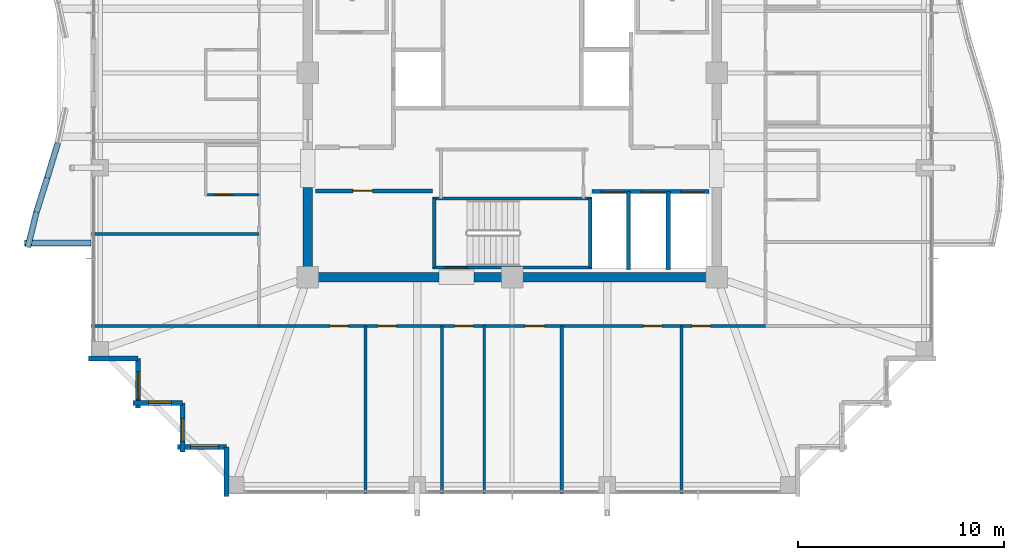
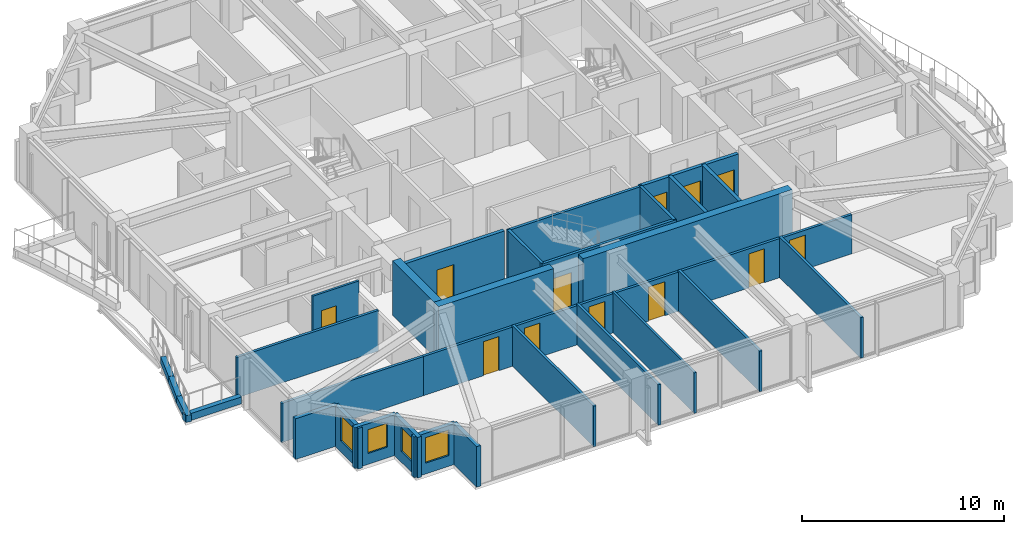
# One storey, part 29 of 35: 30 walls, 12 doors, 4 windows, 16 openings.
"""IFC4 building model written with IfcOpenShell, lengths in metres."""

from ifc_helpers import new_model, si_unit, direction, frame, frame_2d, origin, place, context, subcontext, project, spatial, rectangle, extrude, material, layer, layer_set, type_object, element, fill, save


model = new_model("IFC4")

# Units and contexts
model_context = context("Model", 3, precision=1e-05, world=origin(), true_north=direction((0.0, 1.0)))
body_context = subcontext(model_context, "Body", "Model", "MODEL_VIEW")
ifc_project = project(units=[si_unit("LENGTHUNIT", "METRE"), si_unit("AREAUNIT", "SQUARE_METRE"), si_unit("VOLUMEUNIT", "CUBIC_METRE"), si_unit("PLANEANGLEUNIT", "RADIAN"), si_unit("MASSUNIT", "GRAM", prefix="KILO")], contexts=[model_context])

# Site, building, storey
site_placement = place(None, origin())
site = spatial("IfcSite", under=ifc_project, at=site_placement, CompositionType="ELEMENT")
building_placement = place(site_placement, origin())
building = spatial("IfcBuilding", under=site, at=building_placement, Name="Kolvaren Belvedere", CompositionType="ELEMENT")
storey_placement = place(building_placement, frame((0.0, 0.0, 216.300048828125)))
storey = spatial("IfcBuildingStorey", under=building, at=storey_placement, Name="L63", CompositionType="ELEMENT", Elevation=216.300048828125)

# Walls
ifc_material_1 = material(Name="Concrete C50/60", Category="concrete")
ifc_layer_1 = layer(ifc_material_1, 0.449951171875)
ifc_layer_set_1 = layer_set([ifc_layer_1], Name="Concrete C50/60")
wall_type_1 = type_object("IfcWallType", Name="CW-CORE-450", PredefinedType="SHEAR", material=ifc_layer_set_1)
wall_1_placement = place(storey_placement, frame((10.125, -9.89990234375, 0.0), z_axis=(0.0, 0.0, 1.0), x_axis=(-1.0, 0.0, 0.0)))
element("IfcWall", 1, at=wall_1_placement, inside=storey, type_object=wall_type_1, Name="L63 South Core Shear Wall 1", PredefinedType="SHEAR", context=body_context, shape_type="SweptSolid", body=[
    extrude(rectangle(XDim=11.985107421875, YDim=0.449951171875, at=frame_2d((5.99267578125, 0.0))), origin(), (0.0, 0.0, 1.0), 3.300048828125),
])
wall_2_placement = place(storey_placement, frame((-3.5400390625, -9.89990234375, 0.0), z_axis=(0.0, 0.0, 1.0), x_axis=(-1.0, 0.0, 0.0)))
element("IfcWall", 2, at=wall_2_placement, inside=storey, type_object=wall_type_1, Name="L63 South Core Shear Wall 2", PredefinedType="SHEAR", context=body_context, shape_type="SweptSolid", body=[
    extrude(rectangle(XDim=6.5849609375, YDim=0.449951171875, at=frame_2d((3.29248046875, 0.0))), origin(), (0.0, 0.0, 1.0), 3.300048828125),
])
wall_3_placement = place(storey_placement, frame((-9.89990234375, -9.675048828125, 0.0), z_axis=(0.0, 0.0, 1.0), x_axis=(0.0, 1.0, 0.0)))
element("IfcWall", 3, at=wall_3_placement, inside=storey, type_object=wall_type_1, Name="L63 West Core Shear Wall 1", PredefinedType="SHEAR", context=body_context, shape_type="SweptSolid", body=[
    extrude(rectangle(XDim=4.125, YDim=0.449951171875, at=frame_2d((2.0625, 0.0))), origin(), (0.0, 0.0, 1.0), 3.300048828125),
])

# Wall, opening, door
ifc_material_2 = material(Name="Concrete C50/60", Category="concrete")
ifc_layer_2 = layer(ifc_material_2, 0.159912109375)
ifc_layer_set_2 = layer_set([ifc_layer_2], Name="Concrete C50/60")
wall_type_2 = type_object("IfcWallType", Name="CW-STAIR-160", PredefinedType="SHEAR", material=ifc_layer_set_2)
wall_4_placement = place(storey_placement, frame((3.860107421875, -9.429931640625, 0.0), z_axis=(0.0, 0.0, 1.0), x_axis=(-1.0, 0.0, 0.0)))
wall_4 = element("IfcWall", 4, at=wall_4_placement, inside=storey, type_object=wall_type_2, Name="L63 Stair ST-3 South Shear Wall", PredefinedType="SHEAR", context=body_context, shape_type="SweptSolid", body=[
    extrude(rectangle(XDim=7.72021484375, YDim=0.159912109375, at=frame_2d((3.860107421875, 0.0))), origin(), (0.0, 0.0, 1.0), 3.300048828125),
])
opening_1_placement = place(wall_4_placement, frame((6.010009765625, 0.0, 0.0)))
opening_1 = element("IfcOpeningElement", 5, at=opening_1_placement, cuts=wall_4, Name="Opening D-FD90", PredefinedType="OPENING", context=body_context, shape_type="SweptSolid", body=[
    extrude(rectangle(XDim=1.10009765625, YDim=2.199951171875, at=frame_2d((0.550048828125, 1.10009765625))), frame((0.0, 0.08984375, 0.0), z_axis=(0.0, -1.0, 0.0), x_axis=(1.0, 0.0, 0.0)), (0.0, 0.0, 1.0), 0.179931640625),
])
ifc_material_3 = material(Name="Painted hollow stainless steel", Category="steel")
door_type_1 = type_object("IfcDoorType", Name="DR-FD90-1100", OperationType="NOTDEFINED", PredefinedType="DOOR", material=ifc_material_3)
door_1_placement = place(opening_1_placement, origin())
door_1 = element("IfcDoor", 6, at=door_1_placement, inside=storey, type_object=door_type_1, Name="L63 Stair ST-3 Exit Door", OperationType="SINGLE_SWING_RIGHT", OverallHeight=2.199951171875, OverallWidth=1.10009765625, PredefinedType="DOOR", context=body_context, shape_type="SweptSolid", body=[
    extrude(rectangle(XDim=1.10009765625, YDim=2.199951171875, at=frame_2d((0.550048828125, 1.10009765625))), frame((0.0, 0.02490234375, 0.0), z_axis=(0.0, -1.0, 0.0), x_axis=(1.0, 0.0, 0.0)), (0.0, 0.0, 1.0), 0.050048828125),
])
fill(opening_1, door_1)

# Walls
wall_5_placement = place(storey_placement, frame((-3.860107421875, -6.080078125, 0.0), z_axis=(0.0, 0.0, 1.0), x_axis=(1.0, 0.0, 0.0)))
element("IfcWall", 7, at=wall_5_placement, inside=storey, type_object=wall_type_2, Name="L63 Stair ST-3 North Shear Wall", PredefinedType="SHEAR", context=body_context, shape_type="SweptSolid", body=[
    extrude(rectangle(XDim=7.72021484375, YDim=0.159912109375, at=frame_2d((3.860107421875, 0.0))), origin(), (0.0, 0.0, 1.0), 3.300048828125),
])
for number, where, z_axis, x_axis, name in (
    (8, (-3.780029296875, -9.429931640625, 0.0), (0.0, 0.0, 1.0), (0.0, 1.0, 0.0), "L63 Stair ST-3 West Shear Wall"),
    (9, (3.780029296875, -9.429931640625, 0.0), (0.0, 0.0, 1.0), (0.0, 1.0, 0.0), "L63 Stair ST-3 East Shear Wall"),
):
    element("IfcWall", number, at=place(storey_placement, frame(where, z_axis=z_axis, x_axis=x_axis)), inside=storey, type_object=wall_type_2, Name=name, PredefinedType="SHEAR", context=body_context, shape_type="SweptSolid", body=[
        extrude(rectangle(XDim=3.349853515625, YDim=0.159912109375, at=frame_2d((1.6748046875, 0.0))), origin(), (0.0, 0.0, 1.0), 3.300048828125),
    ])

# Wall, openings, doors
ifc_material_4 = material(Name="Gypsum fire-rated partition assembly", Category="gypsum")
ifc_layer_3 = layer(ifc_material_4, 0.14990234375)
ifc_layer_set_3 = layer_set([ifc_layer_3], Name="Gypsum fire-rated partition assembly")
wall_type_3 = type_object("IfcWallType", Name="WL-CORR-150", PredefinedType="PARTITIONING", material=ifc_layer_set_3)
wall_6_placement = place(storey_placement, frame((-12.260009765625, -12.260009765625, 0.0), z_axis=(0.0, 0.0, 1.0), x_axis=(1.0, 0.0, 0.0)))
wall_6 = element("IfcWall", 10, at=wall_6_placement, inside=storey, type_object=wall_type_3, Name="L63 South Corridor Wall", PredefinedType="PARTITIONING", context=body_context, shape_type="SweptSolid", body=[
    extrude(rectangle(XDim=24.52001953125, YDim=0.14990234375, at=frame_2d((12.260009765625, 0.0))), origin(), (0.0, 0.0, 1.0), 2.368896484375),
])
opening_2_placement = place(wall_6_placement, frame((3.427001953125, 0.0, 0.0)))
opening_2 = element("IfcOpeningElement", 11, at=opening_2_placement, cuts=wall_6, Name="Opening D-INT90", PredefinedType="OPENING", context=body_context, shape_type="SweptSolid", body=[
    extrude(rectangle(XDim=0.89990234375, YDim=2.06005859375, at=frame_2d((0.449951171875, 1.030029296875))), frame((0.0, 0.0849609375, 0.0), z_axis=(0.0, -1.0, 0.0), x_axis=(1.0, 0.0, 0.0)), (0.0, 0.0, 1.0), 0.169921875),
])
opening_3_placement = place(wall_6_placement, frame((5.761962890625, 0.0, 0.0)))
opening_3 = element("IfcOpeningElement", 12, at=opening_3_placement, cuts=wall_6, Name="Opening D-INT90", PredefinedType="OPENING", context=body_context, shape_type="SweptSolid", body=[
    extrude(rectangle(XDim=0.89990234375, YDim=2.06005859375, at=frame_2d((0.449951171875, 1.030029296875))), frame((0.0, 0.0849609375, 0.0), z_axis=(0.0, -1.0, 0.0), x_axis=(1.0, 0.0, 0.0)), (0.0, 0.0, 1.0), 0.169921875),
])
opening_4_placement = place(wall_6_placement, frame((9.472900390625, 0.0, 0.0)))
opening_4 = element("IfcOpeningElement", 13, at=opening_4_placement, cuts=wall_6, Name="Opening D-INT90", PredefinedType="OPENING", context=body_context, shape_type="SweptSolid", body=[
    extrude(rectangle(XDim=0.89990234375, YDim=2.06005859375, at=frame_2d((0.449951171875, 1.030029296875))), frame((0.0, 0.0849609375, 0.0), z_axis=(0.0, -1.0, 0.0), x_axis=(1.0, 0.0, 0.0)), (0.0, 0.0, 1.0), 0.169921875),
])
opening_5_placement = place(wall_6_placement, frame((12.87451171875, 0.0, 0.0)))
opening_5 = element("IfcOpeningElement", 14, at=opening_5_placement, cuts=wall_6, Name="Opening D-INT95", PredefinedType="OPENING", context=body_context, shape_type="SweptSolid", body=[
    extrude(rectangle(XDim=0.949951171875, YDim=2.06005859375, at=frame_2d((0.47509765625, 1.030029296875))), frame((0.0, 0.0849609375, 0.0), z_axis=(0.0, -1.0, 0.0), x_axis=(1.0, 0.0, 0.0)), (0.0, 0.0, 1.0), 0.169921875),
])
opening_6_placement = place(wall_6_placement, frame((18.62451171875, 0.0, 0.0)))
opening_6 = element("IfcOpeningElement", 15, at=opening_6_placement, cuts=wall_6, Name="Opening D-INT90", PredefinedType="OPENING", context=body_context, shape_type="SweptSolid", body=[
    extrude(rectangle(XDim=0.89990234375, YDim=2.06005859375, at=frame_2d((0.449951171875, 1.030029296875))), frame((0.0, 0.0849609375, 0.0), z_axis=(0.0, -1.0, 0.0), x_axis=(1.0, 0.0, 0.0)), (0.0, 0.0, 1.0), 0.169921875),
])
opening_7_placement = place(wall_6_placement, frame((20.95947265625, 0.0, 0.0)))
opening_7 = element("IfcOpeningElement", 16, at=opening_7_placement, cuts=wall_6, Name="Opening D-INT90", PredefinedType="OPENING", context=body_context, shape_type="SweptSolid", body=[
    extrude(rectangle(XDim=0.89990234375, YDim=2.06005859375, at=frame_2d((0.449951171875, 1.030029296875))), frame((0.0, 0.0849609375, 0.0), z_axis=(0.0, -1.0, 0.0), x_axis=(1.0, 0.0, 0.0)), (0.0, 0.0, 1.0), 0.169921875),
])
ifc_material_5 = material(Name="Stained Pacific white oak", Category="timber")
door_type_2 = type_object("IfcDoorType", Name="DR-INT-900", OperationType="NOTDEFINED", PredefinedType="DOOR", material=ifc_material_5)
door_2_placement = place(opening_2_placement, origin())
door_2 = element("IfcDoor", 17, at=door_2_placement, inside=storey, type_object=door_type_2, Name="L63 Private Hospitality Meeting Room 6301 Door", OperationType="SINGLE_SWING_RIGHT", OverallHeight=2.06005859375, OverallWidth=0.89990234375, PredefinedType="DOOR", context=body_context, shape_type="SweptSolid", body=[
    extrude(rectangle(XDim=0.89990234375, YDim=2.06005859375, at=frame_2d((0.449951171875, 1.030029296875))), frame((0.0, 0.02490234375, 0.0), z_axis=(0.0, -1.0, 0.0), x_axis=(1.0, 0.0, 0.0)), (0.0, 0.0, 1.0), 0.050048828125),
])
fill(opening_2, door_2)
door_3_placement = place(opening_3_placement, origin())
door_3 = element("IfcDoor", 18, at=door_3_placement, inside=storey, type_object=door_type_2, Name="L63 Panoramic Quiet Lounge 6302 Door", OperationType="SINGLE_SWING_LEFT", OverallHeight=2.06005859375, OverallWidth=0.89990234375, PredefinedType="DOOR", context=body_context, shape_type="SweptSolid", body=[
    extrude(rectangle(XDim=0.89990234375, YDim=2.06005859375, at=frame_2d((0.449951171875, 1.030029296875))), frame((0.0, 0.02490234375, 0.0), z_axis=(0.0, -1.0, 0.0), x_axis=(1.0, 0.0, 0.0)), (0.0, 0.0, 1.0), 0.050048828125),
])
fill(opening_3, door_3)
door_4_placement = place(opening_4_placement, origin())
door_4 = element("IfcDoor", 19, at=door_4_placement, inside=storey, type_object=door_type_2, Name="L63 Housekeeping Door", OperationType="SINGLE_SWING_RIGHT", OverallHeight=2.06005859375, OverallWidth=0.89990234375, PredefinedType="DOOR", context=body_context, shape_type="SweptSolid", body=[
    extrude(rectangle(XDim=0.89990234375, YDim=2.06005859375, at=frame_2d((0.449951171875, 1.030029296875))), frame((0.0, 0.02490234375, 0.0), z_axis=(0.0, -1.0, 0.0), x_axis=(1.0, 0.0, 0.0)), (0.0, 0.0, 1.0), 0.050048828125),
])
fill(opening_4, door_4)
door_5_placement = place(opening_6_placement, origin())
door_5 = element("IfcDoor", 20, at=door_5_placement, inside=storey, type_object=door_type_2, Name="L63 Botanical Reading Salon 6303 Door", OperationType="SINGLE_SWING_RIGHT", OverallHeight=2.06005859375, OverallWidth=0.89990234375, PredefinedType="DOOR", context=body_context, shape_type="SweptSolid", body=[
    extrude(rectangle(XDim=0.89990234375, YDim=2.06005859375, at=frame_2d((0.449951171875, 1.030029296875))), frame((0.0, 0.02490234375, 0.0), z_axis=(0.0, -1.0, 0.0), x_axis=(1.0, 0.0, 0.0)), (0.0, 0.0, 1.0), 0.050048828125),
])
fill(opening_6, door_5)
door_6_placement = place(opening_7_placement, origin())
door_6 = element("IfcDoor", 21, at=door_6_placement, inside=storey, type_object=door_type_2, Name="L63 Lounge 6304 Door", OperationType="SINGLE_SWING_LEFT", OverallHeight=2.06005859375, OverallWidth=0.89990234375, PredefinedType="DOOR", context=body_context, shape_type="SweptSolid", body=[
    extrude(rectangle(XDim=0.89990234375, YDim=2.06005859375, at=frame_2d((0.449951171875, 1.030029296875))), frame((0.0, 0.02490234375, 0.0), z_axis=(0.0, -1.0, 0.0), x_axis=(1.0, 0.0, 0.0)), (0.0, 0.0, 1.0), 0.050048828125),
])
fill(opening_7, door_6)
ifc_material_6 = material(Name="Stained Pacific white oak", Category="timber")
door_type_3 = type_object("IfcDoorType", Name="DR-INT-950", OperationType="NOTDEFINED", PredefinedType="DOOR", material=ifc_material_6)
door_7_placement = place(opening_5_placement, origin())
door_7 = element("IfcDoor", 22, at=door_7_placement, inside=storey, type_object=door_type_3, Name="L63 Accessible Washroom Door", OperationType="SINGLE_SWING_LEFT", OverallHeight=2.06005859375, OverallWidth=0.949951171875, PredefinedType="DOOR", context=body_context, shape_type="SweptSolid", body=[
    extrude(rectangle(XDim=0.949951171875, YDim=2.06005859375, at=frame_2d((0.47509765625, 1.030029296875))), frame((0.0, 0.02490234375, 0.0), z_axis=(0.0, -1.0, 0.0), x_axis=(1.0, 0.0, 0.0)), (0.0, 0.0, 1.0), 0.050048828125),
])
fill(opening_5, door_7)

# Wall
ifc_material_7 = material(Name="Insulated pale-metal facade wall assembly", Category="aluminium")
ifc_layer_4 = layer(ifc_material_7, 0.239990234375)
ifc_layer_set_4 = layer_set([ifc_layer_4], Name="Insulated pale-metal facade wall assembly")
wall_type_4 = type_object("IfcWallType", Name="WL-EXT-240", PredefinedType="STANDARD", material=ifc_layer_set_4)
wall_7_placement = place(storey_placement, frame((-18.1298828125, -13.830078125, 0.0), z_axis=(0.0, 0.0, 1.0), x_axis=(-1.0, 0.0, 0.0)))
element("IfcWall", 23, at=wall_7_placement, inside=storey, type_object=wall_type_4, Name="L63 Serrated Corner Facade Wall 23", PredefinedType="STANDARD", context=body_context, shape_type="SweptSolid", body=[
    extrude(rectangle(XDim=2.39013671875, YDim=0.239990234375, at=frame_2d((1.195068359375, 0.0))), origin(), (0.0, 0.0, 1.0), 2.462890625),
])

# Wall, opening, window
wall_8_placement = place(storey_placement, frame((-18.1298828125, -16.219970703125, 0.0), z_axis=(0.0, 0.0, 1.0), x_axis=(0.0, 1.0, 0.0)))
wall_8 = element("IfcWall", 24, at=wall_8_placement, inside=storey, type_object=wall_type_4, Name="L63 Serrated Corner Facade Wall 24", PredefinedType="STANDARD", context=body_context, shape_type="SweptSolid", body=[
    extrude(rectangle(XDim=2.389892578125, YDim=0.239990234375, at=frame_2d((1.19482421875, 0.0))), origin(), (0.0, 0.0, 1.0), 2.462890625),
])
opening_8_placement = place(wall_8_placement, frame((0.39990234375, 0.0, 0.64990234375)))
opening_8 = element("IfcOpeningElement", 25, at=opening_8_placement, cuts=wall_8, Name="Opening W-1350", PredefinedType="OPENING", context=body_context, shape_type="SweptSolid", body=[
    extrude(rectangle(XDim=1.35009765625, YDim=1.550048828125, at=frame_2d((0.675048828125, 0.77490234375))), frame((0.0, 0.1298828125, 0.0), z_axis=(0.0, -1.0, 0.0), x_axis=(1.0, 0.0, 0.0)), (0.0, 0.0, 1.0), 0.260009765625),
])
ifc_material_8 = material(Name="Low-iron triple insulated glass", Category="glass")
window_type_1 = type_object("IfcWindowType", Name="WN-CORN-1350", PartitioningType="SINGLE_PANEL", PredefinedType="WINDOW", material=ifc_material_8)
window_1_placement = place(opening_8_placement, origin())
window_1 = element("IfcWindow", 26, at=window_1_placement, inside=storey, type_object=window_type_1, Name="L63 Serrated Corner Vision Window 24", OverallHeight=1.550048828125, OverallWidth=1.35009765625, PartitioningType="SINGLE_PANEL", PredefinedType="WINDOW", context=body_context, shape_type="SweptSolid", body=[
    extrude(rectangle(XDim=1.35009765625, YDim=1.550048828125, at=frame_2d((0.675048828125, 0.77490234375))), frame((0.0, 0.030029296875, 0.0), z_axis=(0.0, -1.0, 0.0), x_axis=(1.0, 0.0, 0.0)), (0.0, 0.0, 1.0), 0.06005859375),
])
fill(opening_8, window_1)

wall_9_placement = place(storey_placement, frame((-15.97998046875, -15.97998046875, 0.0), z_axis=(0.0, 0.0, 1.0), x_axis=(-1.0, 0.0, 0.0)))
wall_9 = element("IfcWall", 27, at=wall_9_placement, inside=storey, type_object=wall_type_4, Name="L63 Serrated Corner Facade Wall 25", PredefinedType="STANDARD", context=body_context, shape_type="SweptSolid", body=[
    extrude(rectangle(XDim=2.39013671875, YDim=0.239990234375, at=frame_2d((1.195068359375, 0.0))), origin(), (0.0, 0.0, 1.0), 2.462890625),
])
opening_9_placement = place(wall_9_placement, frame((0.52490234375, 0.0, 0.64990234375)))
opening_9 = element("IfcOpeningElement", 28, at=opening_9_placement, cuts=wall_9, Name="Opening W-1100", PredefinedType="OPENING", context=body_context, shape_type="SweptSolid", body=[
    extrude(rectangle(XDim=1.10009765625, YDim=1.449951171875, at=frame_2d((0.550048828125, 0.72509765625))), frame((0.0, 0.1298828125, 0.0), z_axis=(0.0, -1.0, 0.0), x_axis=(1.0, 0.0, 0.0)), (0.0, 0.0, 1.0), 0.260009765625),
])
ifc_material_9 = material(Name="Low-iron triple insulated glass", Category="glass")
window_type_2 = type_object("IfcWindowType", Name="WN-CORN-1100", PartitioningType="SINGLE_PANEL", PredefinedType="WINDOW", material=ifc_material_9)
window_2_placement = place(opening_9_placement, origin())
window_2 = element("IfcWindow", 29, at=window_2_placement, inside=storey, type_object=window_type_2, Name="L63 Serrated Corner Vision Window 25", OverallHeight=1.449951171875, OverallWidth=1.10009765625, PartitioningType="SINGLE_PANEL", PredefinedType="WINDOW", context=body_context, shape_type="SweptSolid", body=[
    extrude(rectangle(XDim=1.10009765625, YDim=1.449951171875, at=frame_2d((0.550048828125, 0.72509765625))), frame((0.0, 0.030029296875, 0.0), z_axis=(0.0, -1.0, 0.0), x_axis=(1.0, 0.0, 0.0)), (0.0, 0.0, 1.0), 0.06005859375),
])
fill(opening_9, window_2)

wall_10_placement = place(storey_placement, frame((-15.97998046875, -18.3701171875, 0.0), z_axis=(0.0, 0.0, 1.0), x_axis=(0.0, 1.0, 0.0)))
wall_10 = element("IfcWall", 30, at=wall_10_placement, inside=storey, type_object=wall_type_4, Name="L63 Serrated Corner Facade Wall 26", PredefinedType="STANDARD", context=body_context, shape_type="SweptSolid", body=[
    extrude(rectangle(XDim=2.39013671875, YDim=0.239990234375, at=frame_2d((1.195068359375, 0.0))), origin(), (0.0, 0.0, 1.0), 2.462890625),
])
opening_10_placement = place(wall_10_placement, frame((0.52490234375, 0.0, 0.64990234375)))
opening_10 = element("IfcOpeningElement", 31, at=opening_10_placement, cuts=wall_10, Name="Opening W-1100", PredefinedType="OPENING", context=body_context, shape_type="SweptSolid", body=[
    extrude(rectangle(XDim=1.10009765625, YDim=1.449951171875, at=frame_2d((0.550048828125, 0.72509765625))), frame((0.0, 0.1298828125, 0.0), z_axis=(0.0, -1.0, 0.0), x_axis=(1.0, 0.0, 0.0)), (0.0, 0.0, 1.0), 0.260009765625),
])
window_3_placement = place(opening_10_placement, origin())
window_3 = element("IfcWindow", 32, at=window_3_placement, inside=storey, type_object=window_type_2, Name="L63 Serrated Corner Vision Window 26", OverallHeight=1.449951171875, OverallWidth=1.10009765625, PartitioningType="SINGLE_PANEL", PredefinedType="WINDOW", context=body_context, shape_type="SweptSolid", body=[
    extrude(rectangle(XDim=1.10009765625, YDim=1.449951171875, at=frame_2d((0.550048828125, 0.72509765625))), frame((0.0, 0.030029296875, 0.0), z_axis=(0.0, -1.0, 0.0), x_axis=(1.0, 0.0, 0.0)), (0.0, 0.0, 1.0), 0.06005859375),
])
fill(opening_10, window_3)

wall_11_placement = place(storey_placement, frame((-13.830078125, -18.1298828125, 0.0), z_axis=(0.0, 0.0, 1.0), x_axis=(-1.0, 0.0, 0.0)))
wall_11 = element("IfcWall", 33, at=wall_11_placement, inside=storey, type_object=wall_type_4, Name="L63 Serrated Corner Facade Wall 27", PredefinedType="STANDARD", context=body_context, shape_type="SweptSolid", body=[
    extrude(rectangle(XDim=2.389892578125, YDim=0.239990234375, at=frame_2d((1.19482421875, 0.0))), origin(), (0.0, 0.0, 1.0), 2.462890625),
])
opening_11_placement = place(wall_11_placement, frame((0.39990234375, 0.0, 0.64990234375)))
opening_11 = element("IfcOpeningElement", 34, at=opening_11_placement, cuts=wall_11, Name="Opening W-1350", PredefinedType="OPENING", context=body_context, shape_type="SweptSolid", body=[
    extrude(rectangle(XDim=1.35009765625, YDim=1.550048828125, at=frame_2d((0.675048828125, 0.77490234375))), frame((0.0, 0.1298828125, 0.0), z_axis=(0.0, -1.0, 0.0), x_axis=(1.0, 0.0, 0.0)), (0.0, 0.0, 1.0), 0.260009765625),
])
window_4_placement = place(opening_11_placement, origin())
window_4 = element("IfcWindow", 35, at=window_4_placement, inside=storey, type_object=window_type_1, Name="L63 Serrated Corner Vision Window 27", OverallHeight=1.550048828125, OverallWidth=1.35009765625, PartitioningType="SINGLE_PANEL", PredefinedType="WINDOW", context=body_context, shape_type="SweptSolid", body=[
    extrude(rectangle(XDim=1.35009765625, YDim=1.550048828125, at=frame_2d((0.675048828125, 0.77490234375))), frame((0.0, 0.030029296875, 0.0), z_axis=(0.0, -1.0, 0.0), x_axis=(1.0, 0.0, 0.0)), (0.0, 0.0, 1.0), 0.06005859375),
])
fill(opening_11, window_4)

# Walls
wall_12_placement = place(storey_placement, frame((-13.830078125, -20.52001953125, 0.0), z_axis=(0.0, 0.0, 1.0), x_axis=(0.0, 1.0, 0.0)))
element("IfcWall", 36, at=wall_12_placement, inside=storey, type_object=wall_type_4, Name="L63 Serrated Corner Facade Wall 28", PredefinedType="STANDARD", context=body_context, shape_type="SweptSolid", body=[
    extrude(rectangle(XDim=2.39013671875, YDim=0.239990234375, at=frame_2d((1.195068359375, 0.0))), origin(), (0.0, 0.0, 1.0), 2.462890625),
])
ifc_material_10 = material(Name="Gypsum acoustic partition assembly", Category="gypsum")
ifc_layer_5 = layer(ifc_material_10, 0.14990234375)
ifc_layer_set_5 = layer_set([ifc_layer_5], Name="Gypsum acoustic partition assembly")
wall_type_5 = type_object("IfcWallType", Name="WL-PART-150", PredefinedType="PARTITIONING", material=ifc_layer_set_5)
wall_13_placement = place(storey_placement, frame((-20.3798828125, -12.260009765625, 0.0), z_axis=(0.0, 0.0, 1.0), x_axis=(1.0, 0.0, 0.0)))
element("IfcWall", 37, at=wall_13_placement, inside=storey, type_object=wall_type_5, Name="L63 Wing Divider PW-L63-QSW", PredefinedType="PARTITIONING", context=body_context, shape_type="SweptSolid", body=[
    extrude(rectangle(XDim=8.119873046875, YDim=0.14990234375, at=frame_2d((4.06005859375, 0.0))), origin(), (0.0, 0.0, 1.0), 2.368896484375),
])
for number, where, z_axis, x_axis, name in (
    (38, (-7.10009765625, -20.3798828125, 0.0), (0.0, 0.0, 1.0), (0.0, 1.0, 0.0), "L63 South Suite Demising Wall 1"),
    (39, (-3.39990234375, -20.3798828125, 0.0), (0.0, 0.0, 1.0), (0.0, 1.0, 0.0), "L63 South Suite Demising Wall 2"),
    (40, (2.39990234375, -20.3798828125, 0.0), (0.0, 0.0, 1.0), (0.0, 1.0, 0.0), "L63 South Suite Demising Wall 3"),
    (41, (8.199951171875, -20.3798828125, 0.0), (0.0, 0.0, 1.0), (0.0, 1.0, 0.0), "L63 South Suite Demising Wall 4"),
    (42, (-20.3798828125, -7.800048828125, 0.0), (0.0, 0.0, 1.0), (1.0, 0.0, 0.0), "L63 West Suite Demising Wall 1"),
):
    element("IfcWall", number, at=place(storey_placement, frame(where, z_axis=z_axis, x_axis=x_axis)), inside=storey, type_object=wall_type_5, Name=name, PredefinedType="PARTITIONING", context=body_context, shape_type="SweptSolid", body=[
        extrude(rectangle(XDim=8.119873046875, YDim=0.14990234375, at=frame_2d((4.06005859375, 0.0))), origin(), (0.0, 0.0, 1.0), 2.452880859375),
    ])
ifc_material_11 = material(Name="Precast concrete C40/50", Category="concrete")
ifc_layer_6 = layer(ifc_material_11, 0.300048828125)
ifc_layer_set_6 = layer_set([ifc_layer_6], Name="Precast concrete C40/50")
wall_type_6 = type_object("IfcWallType", Name="WL-PLANTER-300", PredefinedType="PARAPET", material=ifc_layer_set_6)
wall_14_placement = place(storey_placement, frame((-22.00830078125, -3.406494140625, -0.0400390625), z_axis=(0.0, 0.0, 1.0), x_axis=(-0.290840734999, -0.956771481005, 0.0)))
element("IfcWall", 43, at=wall_14_placement, inside=storey, type_object=wall_type_6, Name="L63 Precast Structural Planter Wall BAL-W-8", PredefinedType="PARAPET", context=body_context, shape_type="SweptSolid", body=[
    extrude(rectangle(XDim=1.756103515625, YDim=0.280029296875, at=frame_2d((0.8779296875, 0.0))), origin(), (0.0, 0.0, 1.0), 0.419921875),
])
wall_15_placement = place(storey_placement, frame((-22.51953125, -5.087890625, -0.0400390625), z_axis=(0.0, 0.0, 1.0), x_axis=(-0.299624691176, -0.954057149461, 0.0)))
element("IfcWall", 44, at=wall_15_placement, inside=storey, type_object=wall_type_6, Name="L63 Precast Structural Planter Wall BAL-W-9", PredefinedType="PARAPET", context=body_context, shape_type="SweptSolid", body=[
    extrude(rectangle(XDim=1.7607421875, YDim=0.280029296875, at=frame_2d((0.88037109375, 0.0))), origin(), (0.0, 0.0, 1.0), 0.419921875),
])
wall_16_placement = place(storey_placement, frame((-23.04443359375, -6.75830078125, -0.0400390625), z_axis=(0.0, 0.0, 1.0), x_axis=(-0.239180748277, -0.970975061293, 0.0)))
element("IfcWall", 45, at=wall_16_placement, inside=storey, type_object=wall_type_6, Name="L63 Precast Structural Planter Wall BAL-W-10", PredefinedType="PARAPET", context=body_context, shape_type="SweptSolid", body=[
    extrude(rectangle(XDim=1.730224609375, YDim=0.280029296875, at=frame_2d((0.865234375, 0.0))), origin(), (0.0, 0.0, 1.0), 0.419921875),
])
wall_17_placement = place(storey_placement, frame((-23.61376953125, -8.239990234375, -0.0400390625), z_axis=(0.0, 0.0, 1.0), x_axis=(1.0, 0.0, 0.0)))
element("IfcWall", 46, at=wall_17_placement, inside=storey, type_object=wall_type_6, Name="L63 Precast Structural Planter Wall BAL-W-11", PredefinedType="PARAPET", context=body_context, shape_type="SweptSolid", body=[
    extrude(rectangle(XDim=3.2138671875, YDim=0.280029296875, at=frame_2d((1.60693359375, 0.0))), origin(), (0.0, 0.0, 1.0), 0.419921875),
])

# Wall, opening, door
ifc_material_12 = material(Name="Concrete C50/60", Category="concrete")
ifc_layer_7 = layer(ifc_material_12, 0.199951171875)
ifc_layer_set_7 = layer_set([ifc_layer_7], Name="Concrete C50/60")
wall_type_7 = type_object("IfcWallType", Name="WL-SHAFT-200", PredefinedType="SOLIDWALL", material=ifc_layer_set_7)
wall_18_placement = place(storey_placement, frame((-9.52001953125, -5.719970703125, 0.0), z_axis=(0.0, 0.0, 1.0), x_axis=(1.0, 0.0, 0.0)))
wall_18 = element("IfcWall", 47, at=wall_18_placement, inside=storey, type_object=wall_type_7, Name="L63 Reclaimed Mid Room North Wall", PredefinedType="SOLIDWALL", context=body_context, shape_type="SweptSolid", body=[
    extrude(rectangle(XDim=5.659912109375, YDim=0.199951171875, at=frame_2d((2.830078125, 0.0))), origin(), (0.0, 0.0, 1.0), 3.079833984375),
])
opening_12_placement = place(wall_18_placement, frame((1.800048828125, 0.0, 0.0)))
opening_12 = element("IfcOpeningElement", 48, at=opening_12_placement, cuts=wall_18, Name="Opening D-FD60", PredefinedType="OPENING", context=body_context, shape_type="SweptSolid", body=[
    extrude(rectangle(XDim=0.949951171875, YDim=2.06005859375, at=frame_2d((0.47509765625, 1.030029296875))), frame((0.0, 0.10986328125, 0.0), z_axis=(0.0, -1.0, 0.0), x_axis=(1.0, 0.0, 0.0)), (0.0, 0.0, 1.0), 0.219970703125),
])
ifc_material_13 = material(Name="Acoustic white-oak fire door leaf", Category="timber")
door_type_4 = type_object("IfcDoorType", Name="DR-FD60-950", OperationType="NOTDEFINED", PredefinedType="DOOR", material=ifc_material_13)
door_8_placement = place(opening_12_placement, origin())
door_8 = element("IfcDoor", 49, at=door_8_placement, inside=storey, type_object=door_type_4, Name="L63 Sky Sommelier & Tasting Room Entry Door", OperationType="SINGLE_SWING_LEFT", OverallHeight=2.06005859375, OverallWidth=0.949951171875, PredefinedType="DOOR", context=body_context, shape_type="SweptSolid", body=[
    extrude(rectangle(XDim=0.949951171875, YDim=2.06005859375, at=frame_2d((0.47509765625, 1.030029296875))), frame((0.0, 0.02490234375, 0.0), z_axis=(0.0, -1.0, 0.0), x_axis=(1.0, 0.0, 0.0)), (0.0, 0.0, 1.0), 0.050048828125),
])
fill(opening_12, door_8)

# Wall, openings, doors
wall_19_placement = place(storey_placement, frame((3.860107421875, -5.75, 0.0), z_axis=(0.0, 0.0, 1.0), x_axis=(1.0, 0.0, 0.0)))
wall_19 = element("IfcWall", 50, at=wall_19_placement, inside=storey, type_object=wall_type_7, Name="L63 High-Rise Lift Bank Front Wall", PredefinedType="SOLIDWALL", context=body_context, shape_type="SweptSolid", body=[
    extrude(rectangle(XDim=5.659912109375, YDim=0.199951171875, at=frame_2d((2.830078125, 0.0))), origin(), (0.0, 0.0, 1.0), 3.079833984375),
])
opening_13_placement = place(wall_19_placement, frame((0.4599609375, 0.0, 0.0)))
opening_13 = element("IfcOpeningElement", 51, at=opening_13_placement, cuts=wall_19, Name="Opening LD-11", PredefinedType="OPENING", context=body_context, shape_type="SweptSolid", body=[
    extrude(rectangle(XDim=1.10009765625, YDim=2.199951171875, at=frame_2d((0.550048828125, 1.10009765625))), frame((0.0, 0.10986328125, 0.0), z_axis=(0.0, -1.0, 0.0), x_axis=(1.0, 0.0, 0.0)), (0.0, 0.0, 1.0), 0.219970703125),
])
opening_14_placement = place(wall_19_placement, frame((2.389892578125, 0.0, 0.0)))
opening_14 = element("IfcOpeningElement", 52, at=opening_14_placement, cuts=wall_19, Name="Opening LD-11", PredefinedType="OPENING", context=body_context, shape_type="SweptSolid", body=[
    extrude(rectangle(XDim=1.10009765625, YDim=2.199951171875, at=frame_2d((0.550048828125, 1.10009765625))), frame((0.0, 0.10986328125, 0.0), z_axis=(0.0, -1.0, 0.0), x_axis=(1.0, 0.0, 0.0)), (0.0, 0.0, 1.0), 0.219970703125),
])
opening_15_placement = place(wall_19_placement, frame((4.320068359375, 0.0, 0.0)))
opening_15 = element("IfcOpeningElement", 53, at=opening_15_placement, cuts=wall_19, Name="Opening LD-11", PredefinedType="OPENING", context=body_context, shape_type="SweptSolid", body=[
    extrude(rectangle(XDim=1.10009765625, YDim=2.199951171875, at=frame_2d((0.550048828125, 1.10009765625))), frame((0.0, 0.10986328125, 0.0), z_axis=(0.0, -1.0, 0.0), x_axis=(1.0, 0.0, 0.0)), (0.0, 0.0, 1.0), 0.219970703125),
])
ifc_material_14 = material(Name="Brushed stainless steel", Category="steel")
door_type_5 = type_object("IfcDoorType", Name="DR-LIFT-1100", OperationType="DOUBLE_DOOR_SLIDING", PredefinedType="DOOR", material=ifc_material_14)
door_9_placement = place(opening_13_placement, origin())
door_9 = element("IfcDoor", 54, at=door_9_placement, inside=storey, type_object=door_type_5, Name="L63 Passenger Lift P7 Landing Door", OperationType="DOUBLE_DOOR_SLIDING", OverallHeight=2.199951171875, OverallWidth=1.10009765625, PredefinedType="DOOR", context=body_context, shape_type="SweptSolid", body=[
    extrude(rectangle(XDim=1.10009765625, YDim=2.199951171875, at=frame_2d((0.550048828125, 1.10009765625))), frame((0.0, 0.02490234375, 0.0), z_axis=(0.0, -1.0, 0.0), x_axis=(1.0, 0.0, 0.0)), (0.0, 0.0, 1.0), 0.050048828125),
])
fill(opening_13, door_9)
door_10_placement = place(opening_14_placement, origin())
door_10 = element("IfcDoor", 55, at=door_10_placement, inside=storey, type_object=door_type_5, Name="L63 Passenger Lift P8 Landing Door", OperationType="DOUBLE_DOOR_SLIDING", OverallHeight=2.199951171875, OverallWidth=1.10009765625, PredefinedType="DOOR", context=body_context, shape_type="SweptSolid", body=[
    extrude(rectangle(XDim=1.10009765625, YDim=2.199951171875, at=frame_2d((0.550048828125, 1.10009765625))), frame((0.0, 0.02490234375, 0.0), z_axis=(0.0, -1.0, 0.0), x_axis=(1.0, 0.0, 0.0)), (0.0, 0.0, 1.0), 0.050048828125),
])
fill(opening_14, door_10)
door_11_placement = place(opening_15_placement, origin())
door_11 = element("IfcDoor", 56, at=door_11_placement, inside=storey, type_object=door_type_5, Name="L63 Passenger Lift P9 Landing Door", OperationType="DOUBLE_DOOR_SLIDING", OverallHeight=2.199951171875, OverallWidth=1.10009765625, PredefinedType="DOOR", context=body_context, shape_type="SweptSolid", body=[
    extrude(rectangle(XDim=1.10009765625, YDim=2.199951171875, at=frame_2d((0.550048828125, 1.10009765625))), frame((0.0, 0.02490234375, 0.0), z_axis=(0.0, -1.0, 0.0), x_axis=(1.0, 0.0, 0.0)), (0.0, 0.0, 1.0), 0.050048828125),
])
fill(opening_15, door_11)

# Walls
for number, where, z_axis, x_axis, name in (
    (57, (5.6298828125, -9.52001953125, 0.0), (0.0, 0.0, 1.0), (0.0, 1.0, 0.0), "L63 High-Rise Hoistway Divider 1"),
    (58, (7.56005859375, -9.52001953125, 0.0), (0.0, 0.0, 1.0), (0.0, 1.0, 0.0), "L63 High-Rise Hoistway Divider 2"),
):
    element("IfcWall", number, at=place(storey_placement, frame(where, z_axis=z_axis, x_axis=x_axis)), inside=storey, type_object=wall_type_7, Name=name, PredefinedType="SOLIDWALL", context=body_context, shape_type="SweptSolid", body=[
        extrude(rectangle(XDim=3.77001953125, YDim=0.199951171875, at=frame_2d((1.885009765625, 0.0))), origin(), (0.0, 0.0, 1.0), 3.079833984375),
    ])
ifc_material_15 = material(Name="Moisture-resistant gypsum partition", Category="gypsum")
ifc_layer_8 = layer(ifc_material_15, 0.125)
ifc_layer_set_8 = layer_set([ifc_layer_8], Name="Moisture-resistant gypsum partition")
wall_type_8 = type_object("IfcWallType", Name="WL-WET-125", PredefinedType="PARTITIONING", material=ifc_layer_set_8)
wall_20_placement = place(storey_placement, frame((-1.35400390625, -20.3798828125, 0.0), z_axis=(0.0, 0.0, 1.0), x_axis=(0.0, 1.0, 0.0)))
element("IfcWall", 59, at=wall_20_placement, inside=storey, type_object=wall_type_8, Name="L63 Housekeeping Washroom Divider", PredefinedType="PARTITIONING", context=body_context, shape_type="SweptSolid", body=[
    extrude(rectangle(XDim=8.144775390625, YDim=0.125, at=frame_2d((4.072265625, 0.0))), origin(), (0.0, 0.0, 1.0), 2.452880859375),
])

# Wall, opening, door
wall_21_placement = place(storey_placement, frame((-14.9150390625, -5.89501953125, 0.0), z_axis=(0.0, 0.0, 1.0), x_axis=(1.0, 0.0, 0.0)))
wall_21 = element("IfcWall", 60, at=wall_21_placement, inside=storey, type_object=wall_type_8, Name="L63 Bathroom Partition PW-L63-BTH-11-N", PredefinedType="PARTITIONING", context=body_context, shape_type="SweptSolid", body=[
    extrude(rectangle(XDim=2.64013671875, YDim=0.125, at=frame_2d((1.320068359375, 0.0))), origin(), (0.0, 0.0, 1.0), 3.079833984375),
])
opening_16_placement = place(wall_21_placement, frame((0.5, 0.0, 0.0)))
opening_16 = element("IfcOpeningElement", 61, at=opening_16_placement, cuts=wall_21, Name="Opening D-BTH85", PredefinedType="OPENING", context=body_context, shape_type="SweptSolid", body=[
    extrude(rectangle(XDim=0.85009765625, YDim=2.030029296875, at=frame_2d((0.425048828125, 1.01513671875))), frame((0.0, 0.072509765625, 0.0), z_axis=(0.0, -1.0, 0.0), x_axis=(1.0, 0.0, 0.0)), (0.0, 0.0, 1.0), 0.14501953125),
])
ifc_material_16 = material(Name="Moisture-sealed Pacific white oak", Category="timber")
door_type_6 = type_object("IfcDoorType", Name="DR-BATH-850", OperationType="NOTDEFINED", PredefinedType="DOOR", material=ifc_material_16)
door_12_placement = place(opening_16_placement, origin())
door_12 = element("IfcDoor", 62, at=door_12_placement, inside=storey, type_object=door_type_6, Name="L63 En-Suite Bathroom 6311 Door", OperationType="SINGLE_SWING_LEFT", OverallHeight=2.030029296875, OverallWidth=0.85009765625, PredefinedType="DOOR", context=body_context, shape_type="SweptSolid", body=[
    extrude(rectangle(XDim=0.85009765625, YDim=2.030029296875, at=frame_2d((0.425048828125, 1.01513671875))), frame((0.0, 0.02490234375, 0.0), z_axis=(0.0, -1.0, 0.0), x_axis=(1.0, 0.0, 0.0)), (0.0, 0.0, 1.0), 0.050048828125),
])
fill(opening_16, door_12)

save(model, "model.ifc")
